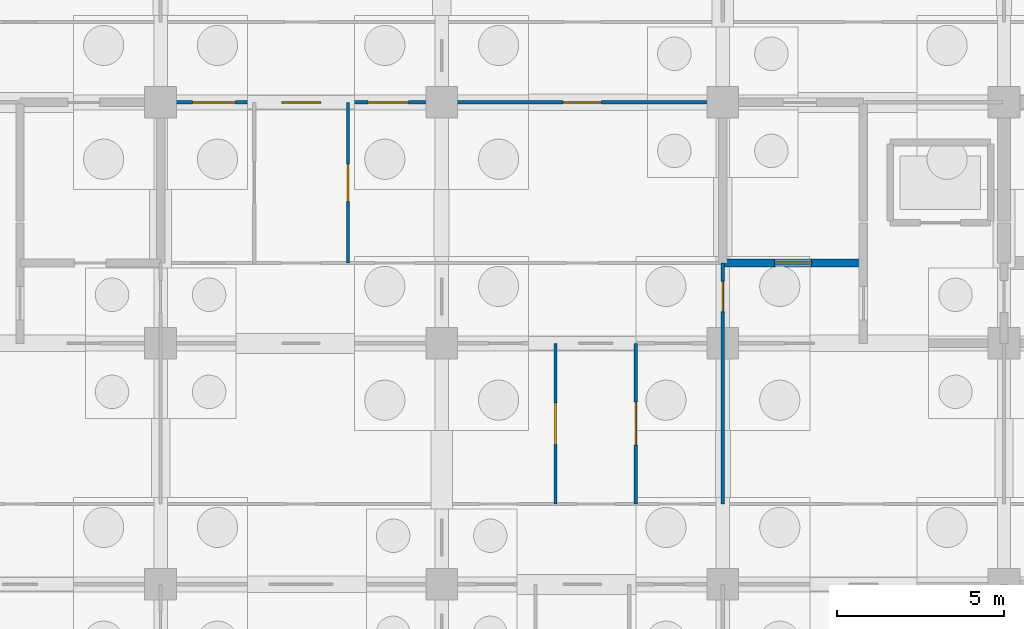
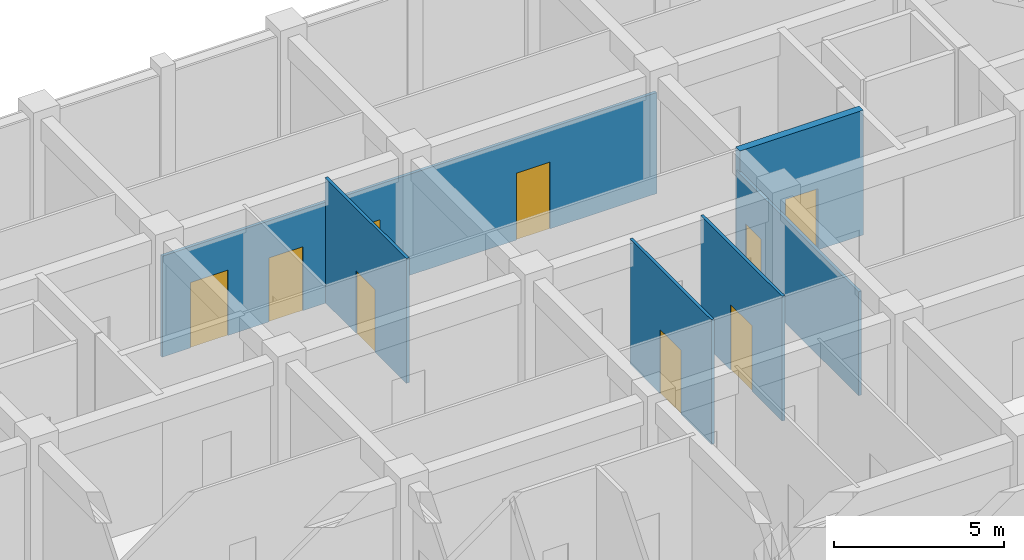
# One storey, part 72 of 85: 9 doors, 6 walls, 9 openings.
"""IFC4 building model written with IfcOpenShell, lengths in metres."""

from ifc_helpers import new_model, si_unit, direction, frame, frame_2d, origin, place, context, subcontext, project, spatial, rectangle, extrude, material, layer, layer_set, type_object, element, fill, save


model = new_model("IFC4")

# Units and contexts
model_context = context("Model", 3, precision=1e-05, world=origin(), true_north=direction((0.0, 1.0)))
body_context = subcontext(model_context, "Body", "Model", "MODEL_VIEW")
ifc_project = project(units=[si_unit("LENGTHUNIT", "METRE"), si_unit("AREAUNIT", "SQUARE_METRE"), si_unit("VOLUMEUNIT", "CUBIC_METRE"), si_unit("PLANEANGLEUNIT", "RADIAN"), si_unit("MASSUNIT", "GRAM", prefix="KILO")], contexts=[model_context])

# Site, building, storey
site_placement = place(None, origin())
site = spatial("IfcSite", under=ifc_project, at=site_placement, CompositionType="ELEMENT")
building_placement = place(site_placement, origin())
building = spatial("IfcBuilding", under=site, at=building_placement, Name="Chengyuan Square Courthouse", CompositionType="ELEMENT")
storey_placement = place(building_placement, frame((0.0, 0.0, -10.199951171875)))
storey = spatial("IfcBuildingStorey", under=building, at=storey_placement, Name="B02", CompositionType="ELEMENT", Elevation=-10.199951171875)

# Wall, opening, door
ifc_material_1 = material(Name="Concrete C40", Category="concrete")
ifc_layer_1 = layer(ifc_material_1, 0.25)
ifc_layer_set_1 = layer_set([ifc_layer_1], Name="Concrete C40")
wall_type_1 = type_object("IfcWallType", Name="WL-FW1", PredefinedType="STANDARD", material=ifc_layer_set_1)
wall_1_placement = place(storey_placement, frame((92.39990234375, 103.199951171875, 0.0), z_axis=(0.0, 0.0, 1.0), x_axis=(1.0, 0.0, 0.0)))
wall_1 = element("IfcWall", 1, at=wall_1_placement, inside=storey, type_object=wall_type_1, Name="Interior Wall WL-B02-I080", PredefinedType="STANDARD", context=body_context, shape_type="SweptSolid", body=[
    extrude(rectangle(XDim=4.2001953125, YDim=0.25, at=frame_2d((2.10009765625, 0.0))), origin(), (0.0, 0.0, 1.0), 4.47998046875),
])
opening_1_placement = place(wall_1_placement, frame((1.550048828125, 0.0, 0.0)))
opening_1 = element("IfcOpeningElement", 2, at=opening_1_placement, cuts=wall_1, Name="Opening DR-067", PredefinedType="OPENING", context=body_context, shape_type="SweptSolid", body=[
    extrude(rectangle(XDim=1.10009765625, YDim=2.199951171875, at=frame_2d((0.550048828125, 1.10009765625))), frame((0.0, 0.136962890625, 0.0), z_axis=(0.0, -1.0, 0.0), x_axis=(1.0, 0.0, 0.0)), (0.0, 0.0, 1.0), 0.27392578125),
])
ifc_material_2 = material(Name="Steel Q235B Fire Door", Category="steel")
door_type_1 = type_object("IfcDoorType", Name="DT-10", OperationType="NOTDEFINED", PredefinedType="DOOR", material=ifc_material_2)
door_1_placement = place(opening_1_placement, origin())
door_1 = element("IfcDoor", 3, at=door_1_placement, inside=storey, type_object=door_type_1, Name="Interior Door DR-067", OperationType="SINGLE_SWING_LEFT", OverallHeight=2.199951171875, OverallWidth=1.10009765625, PredefinedType="DOOR", context=body_context, shape_type="SweptSolid", body=[
    extrude(rectangle(XDim=1.10009765625, YDim=2.199951171875, at=frame_2d((0.550048828125, 1.10009765625))), frame((0.0, 0.02490234375, 0.0), z_axis=(0.0, -1.0, 0.0), x_axis=(1.0, 0.0, 0.0)), (0.0, 0.0, 1.0), 0.050048828125),
])
fill(opening_1, door_1)

# Wall, openings, doors
ifc_material_3 = material(Name="Gypsum Plasterboard Acoustic Stud Partition")
ifc_layer_2 = layer(ifc_material_3, 0.10009765625)
ifc_layer_set_2 = layer_set([ifc_layer_2], Name="Gypsum Plasterboard Acoustic Stud Partition")
wall_type_2 = type_object("IfcWallType", Name="WL-PT6", PredefinedType="STANDARD", material=ifc_layer_set_2)
wall_2_placement = place(storey_placement, frame((75.60009765625, 108.0, 0.0), z_axis=(0.0, 0.0, 1.0), x_axis=(1.0, 0.0, 0.0)))
wall_2 = element("IfcWall", 4, at=wall_2_placement, inside=storey, type_object=wall_type_2, Name="Interior Wall WL-B02-I101", PredefinedType="STANDARD", context=body_context, shape_type="SweptSolid", body=[
    extrude(rectangle(XDim=16.7998046875, YDim=0.10009765625, at=frame_2d((8.39990234375, 0.0))), origin(), (0.0, 0.0, 1.0), 3.6298828125),
])
opening_2_placement = place(wall_2_placement, frame((0.95751953125, 0.0, 0.0)))
opening_2 = element("IfcOpeningElement", 5, at=opening_2_placement, cuts=wall_2, Name="Opening DR-114", PredefinedType="OPENING", context=body_context, shape_type="SweptSolid", body=[
    extrude(rectangle(XDim=1.280029296875, YDim=2.35009765625, at=frame_2d((0.64013671875, 1.175048828125))), frame((0.0, 0.06201171875, 0.0), z_axis=(0.0, -1.0, 0.0), x_axis=(1.0, 0.0, 0.0)), (0.0, 0.0, 1.0), 0.1240234375),
])
opening_3_placement = place(wall_2_placement, frame((12.030029296875, 0.0, 0.0)))
opening_3 = element("IfcOpeningElement", 6, at=opening_3_placement, cuts=wall_2, Name="Opening DR-119", PredefinedType="OPENING", context=body_context, shape_type="SweptSolid", body=[
    extrude(rectangle(XDim=1.139892578125, YDim=2.39990234375, at=frame_2d((0.56982421875, 1.199951171875))), frame((0.0, 0.06201171875, 0.0), z_axis=(0.0, -1.0, 0.0), x_axis=(1.0, 0.0, 0.0)), (0.0, 0.0, 1.0), 0.1240234375),
])
opening_4_placement = place(wall_2_placement, frame((3.6201171875, 0.0, 0.0)))
opening_4 = element("IfcOpeningElement", 7, at=opening_4_placement, cuts=wall_2, Name="Opening DR-264", PredefinedType="OPENING", context=body_context, shape_type="SweptSolid", body=[
    extrude(rectangle(XDim=1.159912109375, YDim=2.300048828125, at=frame_2d((0.580078125, 1.14990234375))), frame((0.0, 0.06201171875, 0.0), z_axis=(0.0, -1.0, 0.0), x_axis=(1.0, 0.0, 0.0)), (0.0, 0.0, 1.0), 0.1240234375),
])
opening_5_placement = place(wall_2_placement, frame((6.202392578125, 0.0, 0.0)))
opening_5 = element("IfcOpeningElement", 8, at=opening_5_placement, cuts=wall_2, Name="Opening DR-265", PredefinedType="OPENING", context=body_context, shape_type="SweptSolid", body=[
    extrude(rectangle(XDim=1.199951171875, YDim=2.35009765625, at=frame_2d((0.60009765625, 1.175048828125))), frame((0.0, 0.06201171875, 0.0), z_axis=(0.0, -1.0, 0.0), x_axis=(1.0, 0.0, 0.0)), (0.0, 0.0, 1.0), 0.1240234375),
])
ifc_material_4 = material(Name="Acoustic Solid-Core Timber Door", Category="wood")
door_type_2 = type_object("IfcDoorType", Name="DT-35", OperationType="NOTDEFINED", PredefinedType="DOOR", material=ifc_material_4)
door_2_placement = place(opening_4_placement, origin())
door_2 = element("IfcDoor", 9, at=door_2_placement, inside=storey, type_object=door_type_2, Name="Interior Door DR-264", OperationType="SINGLE_SWING_LEFT", OverallHeight=2.300048828125, OverallWidth=1.159912109375, PredefinedType="DOOR", context=body_context, shape_type="SweptSolid", body=[
    extrude(rectangle(XDim=1.159912109375, YDim=2.300048828125, at=frame_2d((0.580078125, 1.14990234375))), frame((0.0, 0.02490234375, 0.0), z_axis=(0.0, -1.0, 0.0), x_axis=(1.0, 0.0, 0.0)), (0.0, 0.0, 1.0), 0.050048828125),
])
fill(opening_4, door_2)
door_type_3 = type_object("IfcDoorType", Name="DT-36", OperationType="NOTDEFINED", PredefinedType="DOOR", material=ifc_material_4)
door_3_placement = place(opening_5_placement, origin())
door_3 = element("IfcDoor", 10, at=door_3_placement, inside=storey, type_object=door_type_3, Name="Interior Door DR-265", OperationType="SINGLE_SWING_RIGHT", OverallHeight=2.35009765625, OverallWidth=1.199951171875, PredefinedType="DOOR", context=body_context, shape_type="SweptSolid", body=[
    extrude(rectangle(XDim=1.199951171875, YDim=2.35009765625, at=frame_2d((0.60009765625, 1.175048828125))), frame((0.0, 0.02490234375, 0.0), z_axis=(0.0, -1.0, 0.0), x_axis=(1.0, 0.0, 0.0)), (0.0, 0.0, 1.0), 0.050048828125),
])
fill(opening_5, door_3)
door_type_4 = type_object("IfcDoorType", Name="DT-38", OperationType="NOTDEFINED", PredefinedType="DOOR", material=ifc_material_4)
door_4_placement = place(opening_2_placement, origin())
door_4 = element("IfcDoor", 11, at=door_4_placement, inside=storey, type_object=door_type_4, Name="Interior Door DR-114", OperationType="SINGLE_SWING_RIGHT", OverallHeight=2.35009765625, OverallWidth=1.280029296875, PredefinedType="DOOR", context=body_context, shape_type="SweptSolid", body=[
    extrude(rectangle(XDim=1.280029296875, YDim=2.35009765625, at=frame_2d((0.64013671875, 1.175048828125))), frame((0.0, 0.02490234375, 0.0), z_axis=(0.0, -1.0, 0.0), x_axis=(1.0, 0.0, 0.0)), (0.0, 0.0, 1.0), 0.050048828125),
])
fill(opening_2, door_4)
door_type_5 = type_object("IfcDoorType", Name="DT-43", OperationType="NOTDEFINED", PredefinedType="DOOR", material=ifc_material_4)
door_5_placement = place(opening_3_placement, origin())
door_5 = element("IfcDoor", 12, at=door_5_placement, inside=storey, type_object=door_type_5, Name="Interior Door DR-119", OperationType="SINGLE_SWING_LEFT", OverallHeight=2.39990234375, OverallWidth=1.139892578125, PredefinedType="DOOR", context=body_context, shape_type="SweptSolid", body=[
    extrude(rectangle(XDim=1.139892578125, YDim=2.39990234375, at=frame_2d((0.56982421875, 1.199951171875))), frame((0.0, 0.02490234375, 0.0), z_axis=(0.0, -1.0, 0.0), x_axis=(1.0, 0.0, 0.0)), (0.0, 0.0, 1.0), 0.050048828125),
])
fill(opening_3, door_5)

# Wall, opening, door
wall_3_placement = place(storey_placement, frame((81.199951171875, 103.199951171875, 0.0), z_axis=(0.0, 0.0, 1.0), x_axis=(0.0, 1.0, 0.0)))
wall_3 = element("IfcWall", 13, at=wall_3_placement, inside=storey, type_object=wall_type_2, Name="Interior Wall WL-B02-I198", PredefinedType="STANDARD", context=body_context, shape_type="SweptSolid", body=[
    extrude(rectangle(XDim=4.800048828125, YDim=0.10009765625, at=frame_2d((2.39990234375, 0.0))), origin(), (0.0, 0.0, 1.0), 4.47998046875),
])
opening_6_placement = place(wall_3_placement, frame((1.840087890625, 0.0, 0.0)))
opening_6 = element("IfcOpeningElement", 14, at=opening_6_placement, cuts=wall_3, Name="Opening DR-263", PredefinedType="OPENING", context=body_context, shape_type="SweptSolid", body=[
    extrude(rectangle(XDim=1.1201171875, YDim=2.25, at=frame_2d((0.56005859375, 1.125))), frame((0.0, 0.06201171875, 0.0), z_axis=(0.0, -1.0, 0.0), x_axis=(1.0, 0.0, 0.0)), (0.0, 0.0, 1.0), 0.1240234375),
])
door_type_6 = type_object("IfcDoorType", Name="DT-34", OperationType="NOTDEFINED", PredefinedType="DOOR", material=ifc_material_4)
door_6_placement = place(opening_6_placement, origin())
door_6 = element("IfcDoor", 15, at=door_6_placement, inside=storey, type_object=door_type_6, Name="Interior Door DR-263", OperationType="SINGLE_SWING_RIGHT", OverallHeight=2.25, OverallWidth=1.1201171875, PredefinedType="DOOR", context=body_context, shape_type="SweptSolid", body=[
    extrude(rectangle(XDim=1.1201171875, YDim=2.25, at=frame_2d((0.56005859375, 1.125))), frame((0.0, 0.02490234375, 0.0), z_axis=(0.0, -1.0, 0.0), x_axis=(1.0, 0.0, 0.0)), (0.0, 0.0, 1.0), 0.050048828125),
])
fill(opening_6, door_6)

wall_4_placement = place(storey_placement, frame((87.39990234375, 96.0, 0.0), z_axis=(0.0, 0.0, 1.0), x_axis=(0.0, 1.0, 0.0)))
wall_4 = element("IfcWall", 16, at=wall_4_placement, inside=storey, type_object=wall_type_2, Name="Interior Wall WL-B02-I201", PredefinedType="STANDARD", context=body_context, shape_type="SweptSolid", body=[
    extrude(rectangle(XDim=4.800048828125, YDim=0.10009765625, at=frame_2d((2.39990234375, 0.0))), origin(), (0.0, 0.0, 1.0), 4.47998046875),
])
opening_7_placement = place(wall_4_placement, frame((1.780029296875, 0.0, 0.0)))
opening_7 = element("IfcOpeningElement", 17, at=opening_7_placement, cuts=wall_4, Name="Opening DR-215", PredefinedType="OPENING", context=body_context, shape_type="SweptSolid", body=[
    extrude(rectangle(XDim=1.239990234375, YDim=2.300048828125, at=frame_2d((0.6201171875, 1.14990234375))), frame((0.0, 0.06201171875, 0.0), z_axis=(0.0, -1.0, 0.0), x_axis=(1.0, 0.0, 0.0)), (0.0, 0.0, 1.0), 0.1240234375),
])
door_type_7 = type_object("IfcDoorType", Name="DT-37", OperationType="NOTDEFINED", PredefinedType="DOOR", material=ifc_material_4)
door_7_placement = place(opening_7_placement, origin())
door_7 = element("IfcDoor", 18, at=door_7_placement, inside=storey, type_object=door_type_7, Name="Interior Door DR-215", OperationType="SINGLE_SWING_LEFT", OverallHeight=2.300048828125, OverallWidth=1.239990234375, PredefinedType="DOOR", context=body_context, shape_type="SweptSolid", body=[
    extrude(rectangle(XDim=1.239990234375, YDim=2.300048828125, at=frame_2d((0.6201171875, 1.14990234375))), frame((0.0, 0.02490234375, 0.0), z_axis=(0.0, -1.0, 0.0), x_axis=(1.0, 0.0, 0.0)), (0.0, 0.0, 1.0), 0.050048828125),
])
fill(opening_7, door_7)

wall_5_placement = place(storey_placement, frame((89.800048828125, 96.0, 0.0), z_axis=(0.0, 0.0, 1.0), x_axis=(0.0, 1.0, 0.0)))
wall_5 = element("IfcWall", 19, at=wall_5_placement, inside=storey, type_object=wall_type_2, Name="Interior Wall WL-B02-I203", PredefinedType="STANDARD", context=body_context, shape_type="SweptSolid", body=[
    extrude(rectangle(XDim=4.800048828125, YDim=0.10009765625, at=frame_2d((2.39990234375, 0.0))), origin(), (0.0, 0.0, 1.0), 4.47998046875),
])
opening_8_placement = place(wall_5_placement, frame((1.760009765625, 0.0, 0.0)))
opening_8 = element("IfcOpeningElement", 20, at=opening_8_placement, cuts=wall_5, Name="Opening DR-216", PredefinedType="OPENING", context=body_context, shape_type="SweptSolid", body=[
    extrude(rectangle(XDim=1.280029296875, YDim=2.35009765625, at=frame_2d((0.64013671875, 1.175048828125))), frame((0.0, 0.06201171875, 0.0), z_axis=(0.0, -1.0, 0.0), x_axis=(1.0, 0.0, 0.0)), (0.0, 0.0, 1.0), 0.1240234375),
])
door_8_placement = place(opening_8_placement, origin())
door_8 = element("IfcDoor", 21, at=door_8_placement, inside=storey, type_object=door_type_4, Name="Interior Door DR-216", OperationType="SINGLE_SWING_RIGHT", OverallHeight=2.35009765625, OverallWidth=1.280029296875, PredefinedType="DOOR", context=body_context, shape_type="SweptSolid", body=[
    extrude(rectangle(XDim=1.280029296875, YDim=2.35009765625, at=frame_2d((0.64013671875, 1.175048828125))), frame((0.0, 0.02490234375, 0.0), z_axis=(0.0, -1.0, 0.0), x_axis=(1.0, 0.0, 0.0)), (0.0, 0.0, 1.0), 0.050048828125),
])
fill(opening_8, door_8)

wall_6_placement = place(storey_placement, frame((92.39990234375, 96.0, 0.0), z_axis=(0.0, 0.0, 1.0), x_axis=(0.0, 1.0, 0.0)))
wall_6 = element("IfcWall", 22, at=wall_6_placement, inside=storey, type_object=wall_type_2, Name="Interior Wall WL-B02-I206", PredefinedType="STANDARD", context=body_context, shape_type="SweptSolid", body=[
    extrude(rectangle(XDim=7.199951171875, YDim=0.10009765625, at=frame_2d((3.60009765625, 0.0))), origin(), (0.0, 0.0, 1.0), 3.72998046875),
])
opening_9_placement = place(wall_6_placement, frame((5.74755859375, 0.0, 0.0)))
opening_9 = element("IfcOpeningElement", 23, at=opening_9_placement, cuts=wall_6, Name="Opening DR-069", PredefinedType="OPENING", context=body_context, shape_type="SweptSolid", body=[
    extrude(rectangle(XDim=0.89990234375, YDim=2.14990234375, at=frame_2d((0.449951171875, 1.074951171875))), frame((0.0, 0.06201171875, 0.0), z_axis=(0.0, -1.0, 0.0), x_axis=(1.0, 0.0, 0.0)), (0.0, 0.0, 1.0), 0.1240234375),
])
door_type_8 = type_object("IfcDoorType", Name="DT-27", OperationType="NOTDEFINED", PredefinedType="DOOR", material=ifc_material_4)
door_9_placement = place(opening_9_placement, origin())
door_9 = element("IfcDoor", 24, at=door_9_placement, inside=storey, type_object=door_type_8, Name="Interior Door DR-069", OperationType="SINGLE_SWING_LEFT", OverallHeight=2.14990234375, OverallWidth=0.89990234375, PredefinedType="DOOR", context=body_context, shape_type="SweptSolid", body=[
    extrude(rectangle(XDim=0.89990234375, YDim=2.14990234375, at=frame_2d((0.449951171875, 1.074951171875))), frame((0.0, 0.02490234375, 0.0), z_axis=(0.0, -1.0, 0.0), x_axis=(1.0, 0.0, 0.0)), (0.0, 0.0, 1.0), 0.050048828125),
])
fill(opening_9, door_9)

save(model, "model.ifc")
